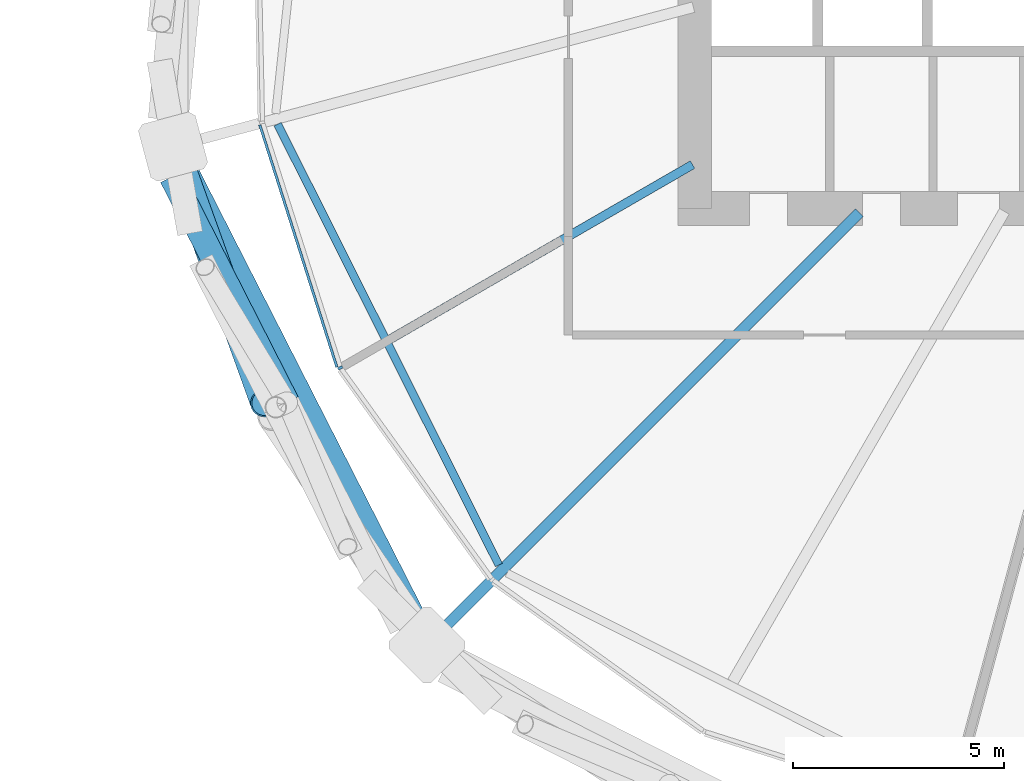
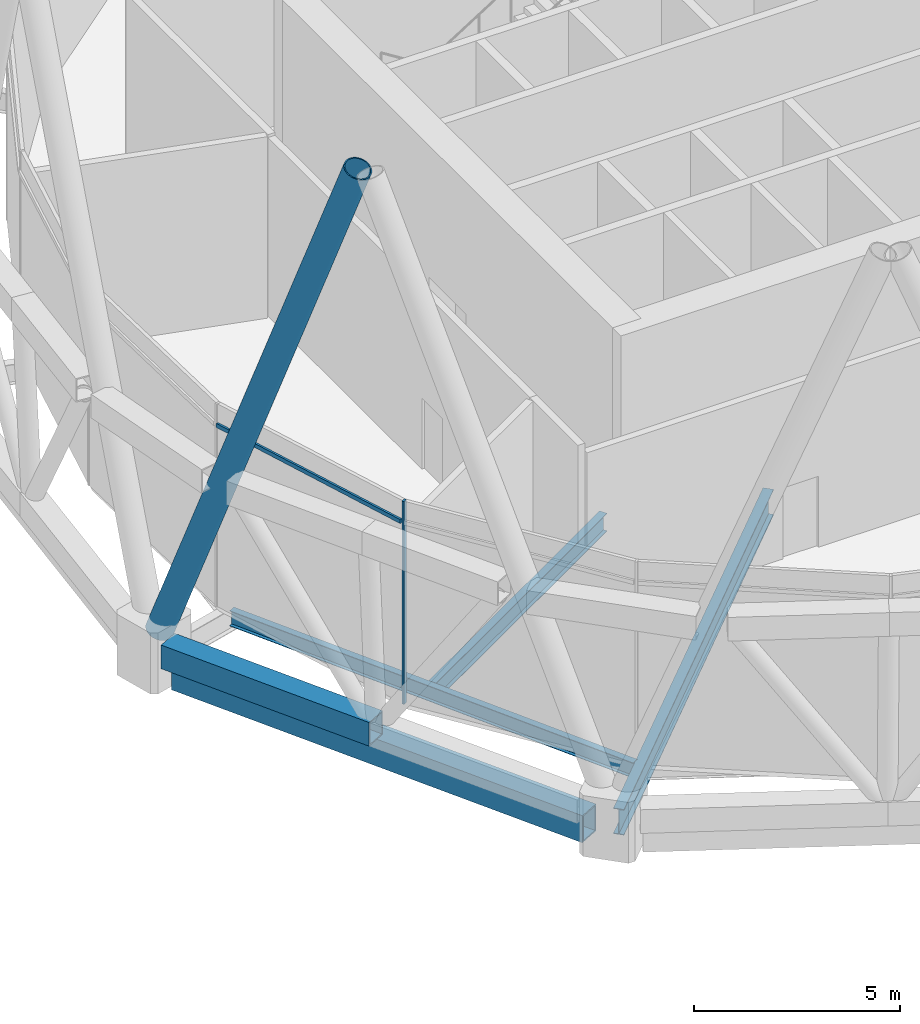
# One storey, part 16 of 33: 4 beams, 4 members, 1 element without a shape of its own.
"""IFC4 building model written with IfcOpenShell, lengths in metres."""

from ifc_helpers import new_model, si_unit, direction, frame, origin, origin_2d, place, context, subcontext, project, spatial, rectangle, hollow_rectangle, hollow_circle, i_section, extrude, material, material_profile, profile_set, type_object, element, aggregate, save


model = new_model("IFC4")

# Units and contexts
model_context = context("Model", 3, precision=1e-05, world=origin(), true_north=direction((0.0, 1.0)))
body_context = subcontext(model_context, "Body", "Model", "MODEL_VIEW")
ifc_project = project(units=[si_unit("LENGTHUNIT", "METRE"), si_unit("AREAUNIT", "SQUARE_METRE"), si_unit("VOLUMEUNIT", "CUBIC_METRE"), si_unit("PLANEANGLEUNIT", "RADIAN"), si_unit("MASSUNIT", "GRAM", prefix="KILO")], contexts=[model_context])

# Site, building, storey
site_placement = place(None, origin())
site = spatial("IfcSite", under=ifc_project, at=site_placement, CompositionType="ELEMENT")
building_placement = place(site_placement, origin())
building = spatial("IfcBuilding", under=site, at=building_placement, Name="Rimbun Link Towers", CompositionType="ELEMENT")
storey_placement = place(building_placement, frame((0.0, 0.0, 75.60009765625)))
storey = spatial("IfcBuildingStorey", under=building, at=storey_placement, Name="L18", CompositionType="ELEMENT", Elevation=75.60009765625)

# Member
ifc_material_1 = material(Name="Steel S460N", Category="steel")
ifc_material_profile_1 = material_profile(ifc_material_1, hollow_rectangle(XDim=0.60009765625, YDim=0.699951171875, WallThickness=0.034912109375, at=origin_2d()), Name="Belt truss chord BOX 600x700x35")
ifc_profile_set_1 = profile_set([ifc_material_profile_1], Name="Steel S460N")
member_type_1 = type_object("IfcMemberType", Name="Belt truss chord BOX 600x700x35", PredefinedType="CHORD", material=ifc_profile_set_1)
member_1_placement = place(storey_placement, frame((7.345703125, -7.247314453125, 0.18994140625), z_axis=(0.453912999954, -0.891046008056, 0.0), x_axis=(0.891046008056, 0.453912999954, 0.0)))
element("IfcMember", 1, at=member_1_placement, inside=storey, type_object=member_type_1, Name="Belt truss chord T2 L18 bottom 10", PredefinedType="CHORD", context=body_context, shape_type="SweptSolid", body=[
    extrude(hollow_rectangle(XDim=0.60009765625, YDim=0.699951171875, WallThickness=0.034912109375, at=origin_2d()), origin(), (0.0, 0.0, 1.0), 6.009033203125),
])

# Curtain wall, members
ifc_material_2 = material(Name="Aluminium 6063-T6 louvre wall", Category="aluminium")
curtain_wall_type = type_object("IfcCurtainWallType", Name="CW6 plant floor louvre wall", PredefinedType="NOTDEFINED", material=ifc_material_2)
curtain_wall_placement = place(storey_placement, origin())
curtain_wall = element("IfcCurtainWall", 2, at=curtain_wall_placement, inside=storey, type_object=curtain_wall_type, Name="CW6 L18 T2", PredefinedType="NOTDEFINED")
ifc_material_3 = material(Name="Aluminium 6063-T6", Category="aluminium")
ifc_material_profile_2 = material_profile(ifc_material_3, rectangle(XDim=0.1201171875, YDim=0.06005859375, at=origin_2d()), Name="MULLION 60X120")
ifc_profile_set_2 = profile_set([ifc_material_profile_2], Name="Aluminium 6063-T6")
member_type_2 = type_object("IfcMemberType", Name="CW6 mullion 60X120", PredefinedType="MULLION", material=ifc_profile_set_2)
member_2_placement = place(storey_placement, frame((11.339111328125, -11.780029296875, 0.0), z_axis=(0.0, 0.0, 1.0), x_axis=(-0.893746632665, -0.448572130878, 0.0)))
member_2 = element("IfcMember", 3, at=member_2_placement, type_object=member_type_2, Name="CW6 mullion", PredefinedType="MULLION", context=body_context, shape_type="SweptSolid", body=[
    extrude(rectangle(XDim=0.1201171875, YDim=0.06005859375, at=origin_2d()), origin(), (0.0, 0.0, 1.0), 6.0),
])
ifc_material_4 = material(Name="Aluminium 6063-T6", Category="aluminium")
ifc_material_profile_3 = material_profile(ifc_material_4, rectangle(XDim=0.06005859375, YDim=0.1201171875, at=origin_2d()), Name="TRANSOM 60X120")
ifc_profile_set_3 = profile_set([ifc_material_profile_3], Name="Aluminium 6063-T6")
member_type_3 = type_object("IfcMemberType", Name="CW6 transom 60X120", PredefinedType="USERDEFINED", material=ifc_profile_set_3)
member_3_placement = place(storey_placement, frame((11.259765625, -11.763916015625, 5.39990234375), z_axis=(-0.303079993188, 0.952965118842, 0.0), x_axis=(-0.952965118842, -0.303079993188, 0.0)))
member_3 = element("IfcMember", 4, at=member_3_placement, type_object=member_type_3, Name="CW6 transom", ObjectType="TRANSOM", PredefinedType="USERDEFINED", context=body_context, shape_type="SweptSolid", body=[
    extrude(rectangle(XDim=0.06005859375, YDim=0.1201171875, at=origin_2d()), origin(), (0.0, 0.0, 1.0), 6.0302734375),
])
aggregate(curtain_wall, [member_2, member_3])

# Member
ifc_material_5 = material(Name="Steel S460NH", Category="steel")
ifc_material_profile_4 = material_profile(ifc_material_5, hollow_circle(Radius=0.355712890625, WallThickness=0.031982421875, at=origin_2d()), Name="Diagrid diagonal CHS 711x32")
ifc_profile_set_4 = profile_set([ifc_material_profile_4], Name="Steel S460NH")
member_type_4 = type_object("IfcMemberType", Name="Diagrid diagonal CHS 711x32", PredefinedType="BRACE", material=ifc_profile_set_4)
member_4_placement = place(storey_placement, frame((7.43408203125, -6.69921875, 0.467041015625), z_axis=(0.120946238086, -0.33517208912, 0.934361642068), x_axis=(0.940632882348, 0.339425662915, 0.0)))
element("IfcMember", 5, at=member_4_placement, inside=storey, type_object=member_type_4, Name="Diagrid diagonal T2 L18-L22 10b", PredefinedType="BRACE", context=body_context, shape_type="SweptSolid", body=[
    extrude(hollow_circle(Radius=0.355712890625, WallThickness=0.031982421875, at=origin_2d()), origin(), (0.0, 0.0, 1.0), 17.622314453125),
])

# Beams
ifc_material_6 = material(Name="Steel S355J2", Category="steel")
ifc_material_profile_5 = material_profile(ifc_material_6, hollow_rectangle(XDim=0.60009765625, YDim=0.800048828125, WallThickness=0.0400390625, at=origin_2d()), Name="Exoskeleton ring girder BOX 600x800x40")
ifc_profile_set_5 = profile_set([ifc_material_profile_5], Name="Steel S355J2")
beam_type_1 = type_object("IfcBeamType", Name="Exoskeleton ring girder BOX 600x800x40", PredefinedType="BEAM", material=ifc_profile_set_5)
beam_1_placement = place(storey_placement, frame((7.69140625, -7.1552734375, -0.56005859375), z_axis=(0.453931944734, -0.89103635703, 0.0), x_axis=(0.89103635703, 0.453931944734, 0.0)))
element("IfcBeam", 6, at=beam_1_placement, inside=storey, type_object=beam_type_1, Name="Exoskeleton ring girder L18 05", PredefinedType="BEAM", context=body_context, shape_type="SweptSolid", body=[
    extrude(hollow_rectangle(XDim=0.60009765625, YDim=0.800048828125, WallThickness=0.0400390625, at=origin_2d()), origin(), (0.0, 0.0, 1.0), 11.867919921875),
])
ifc_material_7 = material(Name="Steel S355J2", Category="steel")
ifc_material_profile_6 = material_profile(ifc_material_7, i_section(OverallWidth=0.18994140625, OverallDepth=0.453369140625, WebThickness=0.008544921875, FlangeThickness=0.0126953125, at=origin_2d()), Name="UB 457x191x67")
ifc_profile_set_6 = profile_set([ifc_material_profile_6], Name="Steel S355J2")
beam_type_2 = type_object("IfcBeamType", Name="UB 457x191x67", PredefinedType="BEAM", material=ifc_profile_set_6)
beam_2_placement = place(storey_placement, frame((9.854248046875, -5.999267578125, -0.4267578125), z_axis=(0.448573466617, -0.893745962255, 0.0), x_axis=(0.893745962255, 0.448573466617, 0.0)))
element("IfcBeam", 7, at=beam_2_placement, inside=storey, type_object=beam_type_2, Name="Edge beam T2 L18 10-12", PredefinedType="BEAM", context=body_context, shape_type="SweptSolid", body=[
    extrude(i_section(OverallWidth=0.18994140625, OverallDepth=0.453369140625, WebThickness=0.008544921875, FlangeThickness=0.0126953125, at=origin_2d()), origin(), (0.0, 0.0, 1.0), 11.700927734375),
])
ifc_material_8 = material(Name="Steel S355J2", Category="steel")
ifc_material_profile_7 = material_profile(ifc_material_8, i_section(OverallWidth=0.209228515625, OverallDepth=0.533203125, WebThickness=0.010009765625, FlangeThickness=0.015625, at=origin_2d()), Name="UB 533x210x92")
ifc_profile_set_7 = profile_set([ifc_material_profile_7], Name="Steel S355J2")
beam_type_3 = type_object("IfcBeamType", Name="UB 533x210x92", PredefinedType="BEAM", material=ifc_profile_set_7)
beam_3_placement = place(storey_placement, frame((19.69677734375, -6.958984375, -0.466796875), z_axis=(-0.866032962715, -0.49998690732, 0.0), x_axis=(0.49998690732, -0.866032962715, 0.0)))
element("IfcBeam", 8, at=beam_3_placement, inside=storey, type_object=beam_type_3, Name="Radial beam T2 L18 11", PredefinedType="BEAM", context=body_context, shape_type="SweptSolid", body=[
    extrude(i_section(OverallWidth=0.209228515625, OverallDepth=0.533203125, WebThickness=0.010009765625, FlangeThickness=0.015625, at=origin_2d()), origin(), (0.0, 0.0, 1.0), 8.284423828125),
])
ifc_material_9 = material(Name="Steel S355J2", Category="steel")
ifc_material_profile_8 = material_profile(ifc_material_9, i_section(OverallWidth=0.2666015625, OverallDepth=0.76220703125, WebThickness=0.014404296875, FlangeThickness=0.021484375, at=origin_2d()), Name="UB 762x267x173")
ifc_profile_set_8 = profile_set([ifc_material_profile_8], Name="Steel S355J2")
beam_type_4 = type_object("IfcBeamType", Name="UB 762x267x173", PredefinedType="BEAM", material=ifc_profile_set_8)
beam_4_placement = place(storey_placement, frame((23.655029296875, -8.094970703125, -0.581298828125), z_axis=(-0.707106781187, -0.707106781187, 0.0), x_axis=(0.707106781187, -0.707106781187, 0.0)))
element("IfcBeam", 9, at=beam_4_placement, inside=storey, type_object=beam_type_4, Name="Radial beam T2 L18 12", PredefinedType="BEAM", context=body_context, shape_type="SweptSolid", body=[
    extrude(i_section(OverallWidth=0.2666015625, OverallDepth=0.76220703125, WebThickness=0.014404296875, FlangeThickness=0.021484375, at=origin_2d()), origin(), (0.0, 0.0, 1.0), 14.0078125),
])

save(model, "model.ifc")
